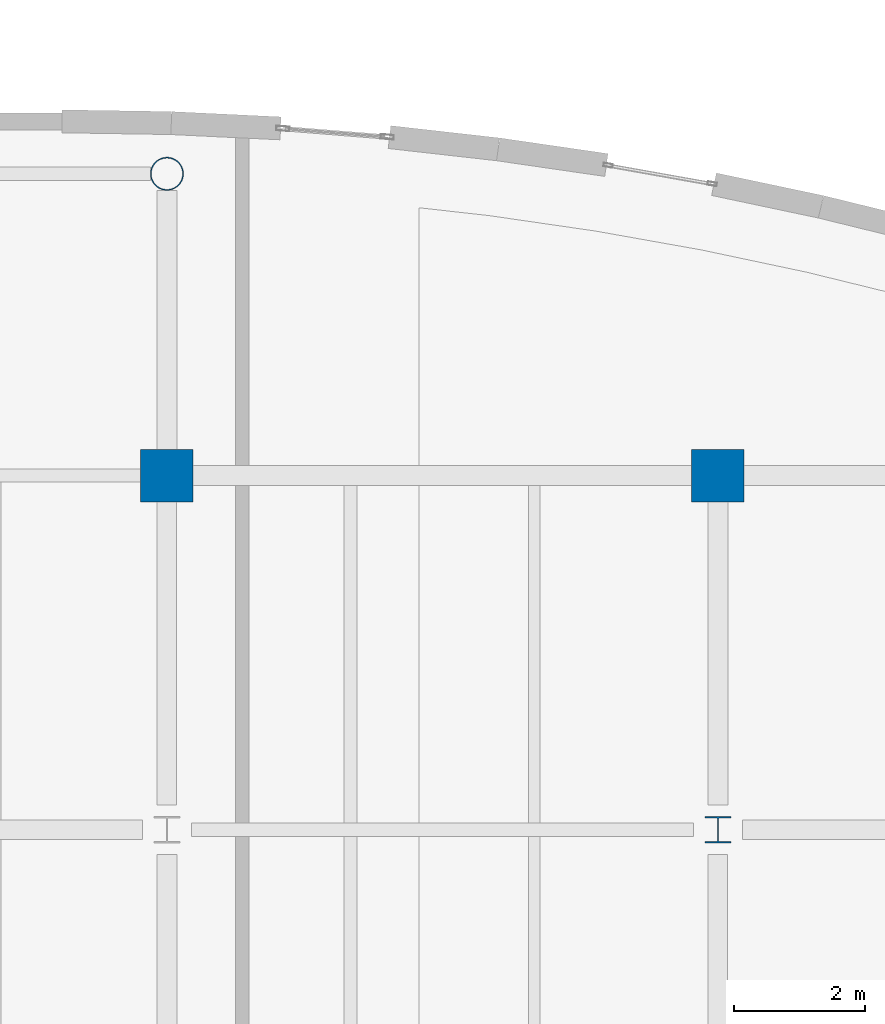
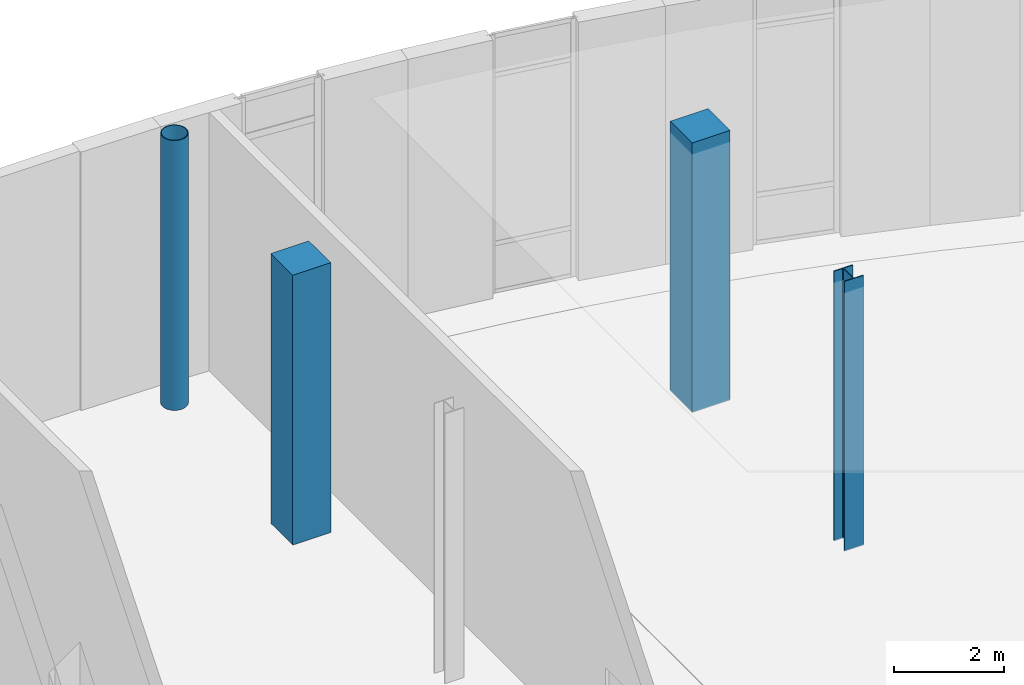
# One storey, part 12 of 85: 4 columns.
"""IFC4 building model written with IfcOpenShell, lengths in metres."""

import ifcopenshell
import ifcopenshell.guid

model = None  # the IFC model being written
_history = None  # IfcOwnerHistory: only IFC2X3 demands one
_inside = {}  # id of a spatial element -> (the spatial element, [elements in it])
_under = {}  # id of a project, library or spatial element -> (it, [spatial elements below it])
_declared = {}  # id of a project -> (the project, [libraries it declares])
_typed = {}  # id of a type object -> (the type object, [elements of that type])
_made_of = {}  # id of a material, layer set ... -> (it, [elements and type objects made of it])


def new_model(schema):
    """Start an empty IFC model of exactly this schema.

    Asked for "IFC4X3", IfcOpenShell would pick the latest addendum, in which some entities
    have other attributes; the version numbers below select the first issue.
    IFC2X3 requires an IfcOwnerHistory on every rooted entity: one is made here for all.
    """
    global model, _history
    if schema == "IFC4X3":
        model = ifcopenshell.file(schema_version=(4, 3, 0, 0))
    else:
        model = ifcopenshell.file(schema=schema)
    _inside.clear()
    _under.clear()
    _declared.clear()
    _typed.clear()
    _made_of.clear()
    _history = None
    if model.schema == "IFC2X3":
        org = make("IfcOrganization", Name="unknown")
        user = make(
            "IfcPersonAndOrganization",
            ThePerson=make("IfcPerson", FamilyName="unknown"),
            TheOrganization=org,
        )
        app = make(
            "IfcApplication",
            ApplicationDeveloper=org,
            Version="unknown",
            ApplicationFullName="unknown",
            ApplicationIdentifier="unknown",
        )
        _history = make(
            "IfcOwnerHistory",
            OwningUser=user,
            OwningApplication=app,
            ChangeAction="ADDED",
            CreationDate=0,
        )
    return model


def make(cls, **values):
    """One entity of the class cls with the attributes given. An attribute that is None is left unset."""
    return model.create_entity(
        cls, **{name: value for name, value in values.items() if value is not None}
    )


def rooted(cls, **values):
    """An entity with a GlobalId (a new one), such as an element, a storey or a relation."""
    return make(cls, GlobalId=ifcopenshell.guid.new(), OwnerHistory=_history, **values)


def si_unit(unit_type, name, prefix=None):
    """IfcSIUnit, for example si_unit("LENGTHUNIT", "METRE", prefix="MILLI")."""
    return make("IfcSIUnit", UnitType=unit_type, Prefix=prefix, Name=name)


def assignment(units):
    """IfcUnitAssignment: the units of a project."""
    return None if units is None else make("IfcUnitAssignment", Units=units)


def point(xyz):
    """IfcCartesianPoint."""
    return None if xyz is None else make("IfcCartesianPoint", Coordinates=xyz)


def direction(xyz):
    """IfcDirection."""
    return None if xyz is None else make("IfcDirection", DirectionRatios=xyz)


def frame(location, z_axis=None, x_axis=None):
    """IfcAxis2Placement3D, a coordinate frame: its origin and axes. An axis left out is left unset."""
    return make(
        "IfcAxis2Placement3D",
        Location=point(location),
        Axis=direction(z_axis),
        RefDirection=direction(x_axis),
    )


def frame_2d(location, x_axis=None):
    """IfcAxis2Placement2D, a coordinate frame in the plane: its origin and x axis."""
    return make(
        "IfcAxis2Placement2D", Location=point(location), RefDirection=direction(x_axis)
    )


def origin():
    """The frame at (0, 0, 0) with its axes left unset."""
    return frame((0.0, 0.0, 0.0))


def origin_2d():
    """The frame at (0, 0) in the plane with its x axis left unset."""
    return frame_2d((0.0, 0.0))


def place(relative_to, where):
    """IfcLocalPlacement: puts the frame where relative to a parent placement (None: the world)."""
    return make(
        "IfcLocalPlacement", PlacementRelTo=relative_to, RelativePlacement=where
    )


def context(
    kind, dimensions, precision=None, world=None, true_north=None, identifier=None
):
    """IfcGeometricRepresentationContext, for example the 3D "Model" context."""
    return make(
        "IfcGeometricRepresentationContext",
        ContextIdentifier=identifier,
        ContextType=kind,
        CoordinateSpaceDimension=dimensions,
        Precision=precision,
        WorldCoordinateSystem=world,
        TrueNorth=true_north,
    )


def subcontext(parent, identifier, kind, view, scale=None):
    """IfcGeometricRepresentationSubContext, for example "Body" below "Model"."""
    return make(
        "IfcGeometricRepresentationSubContext",
        ContextIdentifier=identifier,
        ContextType=kind,
        ParentContext=parent,
        TargetScale=scale,
        TargetView=view,
    )


def project(units=None, contexts=None):
    """IfcProject with its units and contexts."""
    return rooted(
        "IfcProject",
        Name="project",
        RepresentationContexts=contexts,
        UnitsInContext=assignment(units),
    )


def spatial(cls, under=None, at=None, **own):
    """A site, building, storey or space (cls), placed at a placement, below another one or the project."""
    s = rooted(cls, ObjectPlacement=at, **own)
    if under is not None:
        _under.setdefault(under.id(), (under, []))[1].append(s)
    return s


def profile(cls, at=None, kind="AREA", **sizes):
    """A parametric profile (cls). Its sizes go by their IFC names, for example OverallWidth=200.0."""
    return make(cls, ProfileType=kind, Position=at, **sizes)


def rectangle(**sizes):
    """IfcRectangleProfileDef."""
    return profile("IfcRectangleProfileDef", **sizes)


def hollow_circle(**sizes):
    """IfcCircleHollowProfileDef."""
    return profile("IfcCircleHollowProfileDef", **sizes)


def i_section(**sizes):
    """IfcIShapeProfileDef."""
    return profile("IfcIShapeProfileDef", **sizes)


def extrude(swept, where, along, depth):
    """IfcExtrudedAreaSolid: the profile swept, set in the frame where, extruded along a direction by depth."""
    return make(
        "IfcExtrudedAreaSolid",
        SweptArea=swept,
        Position=where,
        ExtrudedDirection=direction(along),
        Depth=depth,
    )


def shape(context_of_items, identifier, shape_type, items):
    """IfcShapeRepresentation: the items that make up one representation, for example the "Body"."""
    return make(
        "IfcShapeRepresentation",
        ContextOfItems=context_of_items,
        RepresentationIdentifier=identifier,
        RepresentationType=shape_type,
        Items=items,
    )


def material(Name=None, Category=None):
    """IfcMaterial."""
    return make("IfcMaterial", Name=Name, Category=Category)


def material_profile(
    of_material, cross_section, Name=None, Category=None, Priority=None
):
    """IfcMaterialProfile: a cross section and its material."""
    return make(
        "IfcMaterialProfile",
        Name=Name,
        Material=of_material,
        Profile=cross_section,
        Priority=Priority,
        Category=Category,
    )


def profile_set(profiles, Name=None, composite=None):
    """IfcMaterialProfileSet."""
    return make(
        "IfcMaterialProfileSet",
        Name=Name,
        MaterialProfiles=profiles,
        CompositeProfile=composite,
    )


def made_of(thing, what):
    """Note that an element or type object is made of a material, layer set ...; save() writes the relation."""
    if what is not None:
        _made_of.setdefault(what.id(), (what, []))[1].append(thing)
    return thing


def type_object(cls, material=None, **own):
    """A type object (cls), such as IfcWallType, which elements share."""
    return made_of(rooted(cls, **own), material)


def element(
    cls,
    number,
    at=None,
    inside=None,
    cuts=None,
    type_object=None,
    material=None,
    context=None,
    identifier="Body",
    shape_type=None,
    held_by="IfcProductDefinitionShape",
    body=None,
    shapes=None,
    **own,
):
    """One element of the class cls, such as IfcWall. Its Tag is "e" and its number.

    at: its placement. inside: the storey or other place that contains it. cuts: it is an
    opening in that element (IfcRelVoidsElement). A single representation is given by context,
    identifier, shape_type and body (its items); several are given by shapes. held_by: the class
    of the entity that holds the representations. save() writes the other relations.
    """
    e = rooted(cls, Tag="e%d" % number, ObjectPlacement=at, **own)
    if body is not None:
        shapes = [shape(context, identifier, shape_type, body)]
    if shapes is not None:
        e.Representation = make(held_by, Representations=shapes)
    if inside is not None:
        _inside.setdefault(inside.id(), (inside, []))[1].append(e)
    if cuts is not None:
        rooted(
            "IfcRelVoidsElement", RelatingBuildingElement=cuts, RelatedOpeningElement=e
        )
    if type_object is not None:
        _typed.setdefault(type_object.id(), (type_object, []))[1].append(e)
    return made_of(e, material)


def aggregate(whole, parts):
    """IfcRelAggregates: a whole, such as a stair, and the parts it consists of."""
    return rooted("IfcRelAggregates", RelatingObject=whole, RelatedObjects=parts)


def save(model, path):
    """Write the relations noted so far, then the file.

    IfcRelAggregates (storeys below a building ...), IfcRelContainedInSpatialStructure (elements
    in a storey), IfcRelDefinesByType, IfcRelAssociatesMaterial and IfcRelDeclares: one each for
    every whole, place, type object, material and project.
    """
    for whole, parts in _under.values():
        aggregate(whole, parts)
    for where, things in _inside.values():
        rooted(
            "IfcRelContainedInSpatialStructure",
            RelatedElements=things,
            RelatingStructure=where,
        )
    for kind, things in _typed.values():
        rooted("IfcRelDefinesByType", RelatedObjects=things, RelatingType=kind)
    for what, things in _made_of.values():
        rooted("IfcRelAssociatesMaterial", RelatedObjects=things, RelatingMaterial=what)
    for by, libraries in _declared.values():
        rooted("IfcRelDeclares", RelatingContext=by, RelatedDefinitions=libraries)
    model.write(path)


model = new_model("IFC4")

# Units and contexts
model_context = context("Model", 3, precision=1e-05, world=origin(), true_north=direction((0.0, 1.0)))
body_context = subcontext(model_context, "Body", "Model", "MODEL_VIEW")
ifc_project = project(units=[si_unit("LENGTHUNIT", "METRE"), si_unit("AREAUNIT", "SQUARE_METRE"), si_unit("VOLUMEUNIT", "CUBIC_METRE"), si_unit("PLANEANGLEUNIT", "RADIAN"), si_unit("MASSUNIT", "GRAM", prefix="KILO"), si_unit("THERMODYNAMICTEMPERATUREUNIT", "KELVIN")], contexts=[model_context])

# Site, building, storey
site_placement = place(None, origin())
site = spatial("IfcSite", under=ifc_project, at=site_placement, CompositionType="ELEMENT")
building_placement = place(site_placement, origin())
building = spatial("IfcBuilding", under=site, at=building_placement, Name="Lustrewick Department Store", CompositionType="ELEMENT")
storey_placement = place(building_placement, origin())
storey = spatial("IfcBuildingStorey", under=building, at=storey_placement, Name="L01", CompositionType="ELEMENT", Elevation=0.0)

# Columns
ifc_material_1 = material(Name="Structural steel Q355B", Category="steel")
ifc_material_profile_1 = material_profile(ifc_material_1, i_section(OverallWidth=0.39990234375, OverallDepth=0.39990234375, WebThickness=0.012939453125, FlangeThickness=0.02099609375, FilletRadius=0.02197265625, at=origin_2d()), Name="HW 400x400x13x21")
ifc_profile_set_1 = profile_set([ifc_material_profile_1], Name="Structural steel Q355B")
column_type_1 = type_object("IfcColumnType", Name="C11", PredefinedType="COLUMN", material=ifc_profile_set_1)
column_1_placement = place(storey_placement, frame((126.0, 100.800048828125, 0.0), z_axis=(0.0, 0.0, 1.0), x_axis=(1.0, 0.0, 0.0)))
element("IfcColumn", 1, at=column_1_placement, inside=storey, type_object=column_type_1, Name="L01 V4 Column C11", PredefinedType="COLUMN", context=body_context, shape_type="SweptSolid", body=[
    extrude(i_section(OverallWidth=0.39990234375, OverallDepth=0.39990234375, WebThickness=0.012939453125, FlangeThickness=0.02099609375, FilletRadius=0.02197265625, at=origin_2d()), origin(), (0.0, 0.0, 1.0), 6.0),
])
ifc_material_2 = material(Name="Concrete C40", Category="concrete")
ifc_material_profile_2 = material_profile(ifc_material_2, rectangle(XDim=0.800048828125, YDim=0.800048828125, at=origin_2d()), Name="RC 800x800")
ifc_profile_set_2 = profile_set([ifc_material_profile_2], Name="Concrete C40")
column_type_2 = type_object("IfcColumnType", Name="C19", PredefinedType="COLUMN", material=ifc_profile_set_2)
for number, where, z_axis, x_axis, name in (
    (2, (117.60009765625, 106.199951171875, 0.0), (0.0, 0.0, 1.0), (1.0, 0.0, 0.0), "L01 V4 Column C19"),
    (3, (126.0, 106.199951171875, 0.0), (0.0, 0.0, 1.0), (1.0, 0.0, 0.0), "L01 V4 Column C19"),
):
    element("IfcColumn", number, at=place(storey_placement, frame(where, z_axis=z_axis, x_axis=x_axis)), inside=storey, type_object=column_type_2, Name=name, PredefinedType="COLUMN", context=body_context, shape_type="SweptSolid", body=[
        extrude(rectangle(XDim=0.800048828125, YDim=0.800048828125, at=origin_2d()), origin(), (0.0, 0.0, 1.0), 6.0),
    ])
ifc_material_3 = material(Name="Structural steel Q355C", Category="steel")
ifc_material_profile_3 = material_profile(ifc_material_3, hollow_circle(Radius=0.25390625, WallThickness=0.01611328125, at=origin_2d()), Name="CHS 508x16")
ifc_profile_set_3 = profile_set([ifc_material_profile_3], Name="Structural steel Q355C")
column_type_3 = type_object("IfcColumnType", Name="CE01", PredefinedType="COLUMN", material=ifc_profile_set_3)
column_2_placement = place(storey_placement, frame((117.60009765625, 110.800048828125, 0.0), z_axis=(0.0, 0.0, 1.0), x_axis=(1.0, 0.0, 0.0)))
element("IfcColumn", 4, at=column_2_placement, inside=storey, type_object=column_type_3, Name="L01 V4 Column CE01", PredefinedType="COLUMN", context=body_context, shape_type="SweptSolid", body=[
    extrude(hollow_circle(Radius=0.25390625, WallThickness=0.01611328125, at=origin_2d()), origin(), (0.0, 0.0, 1.0), 6.0),
])

save(model, "model.ifc")
